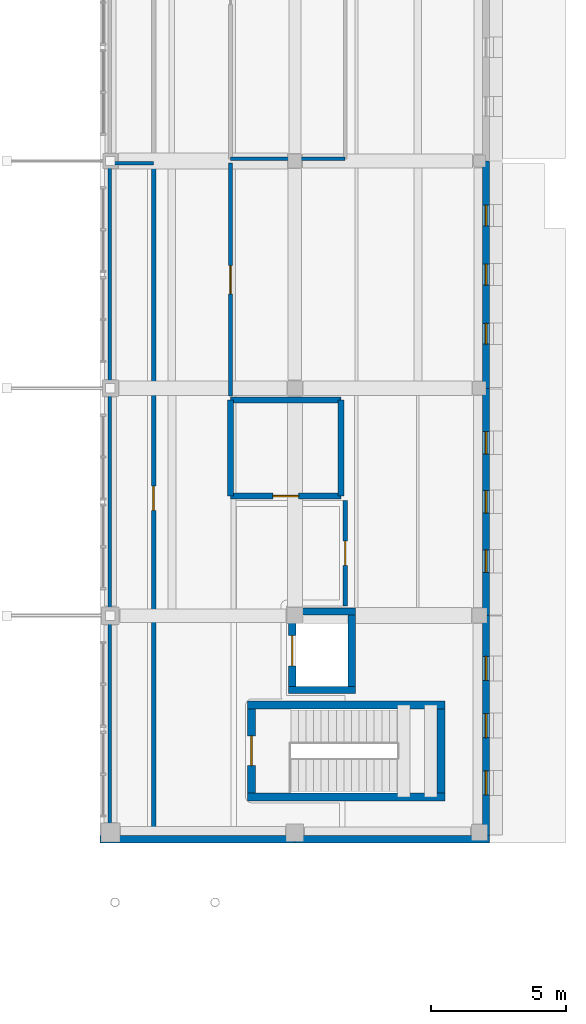
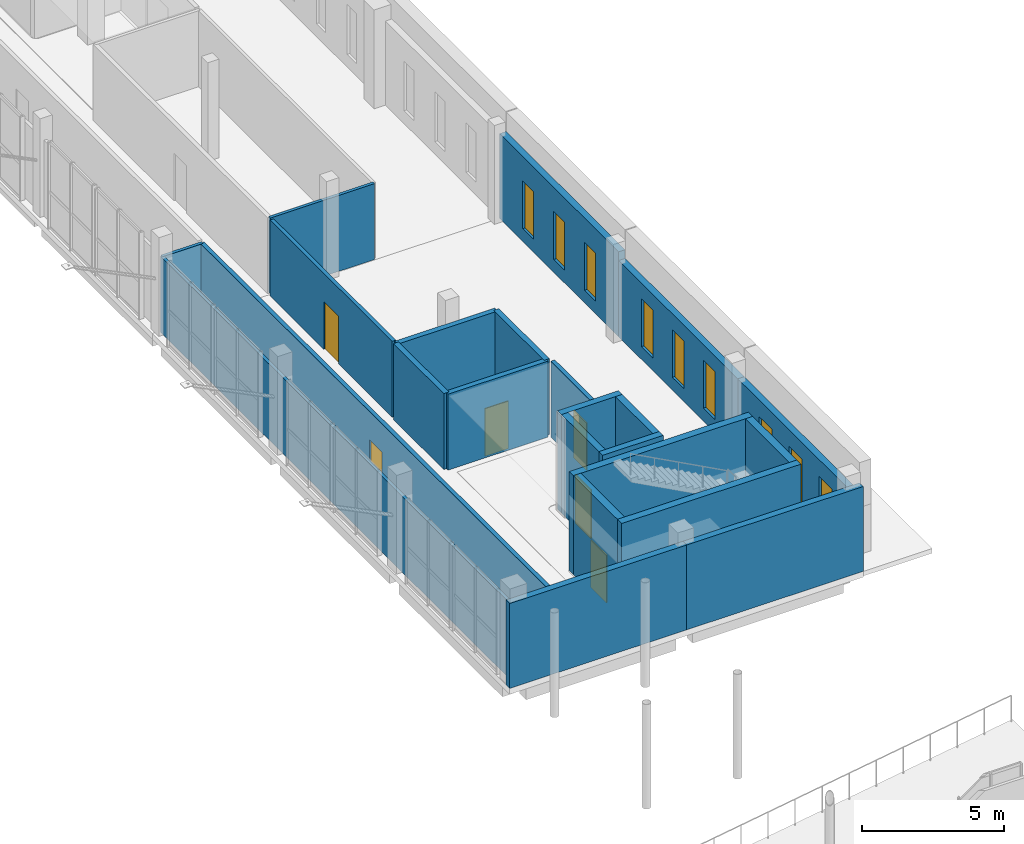
# One storey, part 61 of 77: 23 walls, 9 windows, 6 doors, 15 openings.
"""IFC4 building model written with IfcOpenShell, lengths in metres."""

from ifc_helpers import new_model, si_unit, direction, frame, frame_2d, origin, place, context, subcontext, project, spatial, rectangle, extrude, material, layer, layer_set, type_object, element, fill, save


model = new_model("IFC4")

# Units and contexts
model_context = context("Model", 3, precision=1e-05, world=origin(), true_north=direction((0.0, 1.0)))
body_context = subcontext(model_context, "Body", "Model", "MODEL_VIEW")
ifc_project = project(units=[si_unit("LENGTHUNIT", "METRE"), si_unit("AREAUNIT", "SQUARE_METRE"), si_unit("VOLUMEUNIT", "CUBIC_METRE"), si_unit("PLANEANGLEUNIT", "RADIAN"), si_unit("MASSUNIT", "GRAM", prefix="KILO")], contexts=[model_context])

# Site, building, storey
site_placement = place(None, origin())
site = spatial("IfcSite", under=ifc_project, at=site_placement, CompositionType="ELEMENT")
building_placement = place(site_placement, origin())
building = spatial("IfcBuilding", under=site, at=building_placement, Name="Vardoun Plaza Health Centre", CompositionType="ELEMENT")
storey_placement = place(building_placement, origin())
storey = spatial("IfcBuildingStorey", under=building, at=storey_placement, Name="L00", CompositionType="ELEMENT", Elevation=0.0)

# Wall
ifc_material_1 = material(Name="Concrete C40/50", Category="concrete")
ifc_layer_1 = layer(ifc_material_1, 0.27001953125)
ifc_layer_set_1 = layer_set([ifc_layer_1], Name="Concrete C40/50")
wall_type_1 = type_object("IfcWallType", Name="SW-03", PredefinedType="SHEAR", material=ifc_layer_set_1)
wall_1_placement = place(storey_placement, frame((160.3349609375, 41.949951171875, 0.0), z_axis=(0.0, 0.0, 1.0), x_axis=(-1.0, 0.0, 0.0)))
element("IfcWall", 1, at=wall_1_placement, inside=storey, type_object=wall_type_1, Name="Lift LP-05 L00 Shaft Wall S", PredefinedType="SHEAR", context=body_context, shape_type="SweptSolid", body=[
    extrude(rectangle(XDim=2.469970703125, YDim=0.27001953125, at=frame_2d((1.23486328125, 0.0))), origin(), (0.0, 0.0, 1.0), 4.25),
])

# Wall, opening, door
wall_2_placement = place(storey_placement, frame((158.0, 42.0849609375, 0.0), z_axis=(0.0, 0.0, 1.0), x_axis=(0.0, 1.0, 0.0)))
wall_2 = element("IfcWall", 2, at=wall_2_placement, inside=storey, type_object=wall_type_1, Name="Lift LP-05 L00 Shaft Wall W", PredefinedType="SHEAR", context=body_context, shape_type="SweptSolid", body=[
    extrude(rectangle(XDim=2.630126953125, YDim=0.27001953125, at=frame_2d((1.31494140625, 0.0))), origin(), (0.0, 0.0, 1.0), 4.25),
])
opening_1_placement = place(wall_2_placement, frame((0.7548828125, 0.0, 0.0)))
opening_1 = element("IfcOpeningElement", 3, at=opening_1_placement, cuts=wall_2, Name="Opening LD-LP-05-L00", PredefinedType="OPENING", context=body_context, shape_type="SweptSolid", body=[
    extrude(rectangle(XDim=1.1201171875, YDim=2.10009765625, at=frame_2d((0.56005859375, 1.050048828125))), frame((0.0, 0.135009765625, 0.0), z_axis=(0.0, -1.0, 0.0), x_axis=(1.0, 0.0, 0.0)), (0.0, 0.0, 1.0), 0.27001953125),
])
ifc_material_2 = material(Name="Brushed Stainless Steel Grade 316L", Category="steel")
door_type_1 = type_object("IfcDoorType", Name="LD-01", OperationType="DOUBLE_DOOR_SLIDING", PredefinedType="DOOR", material=ifc_material_2)
door_1_placement = place(opening_1_placement, origin())
door_1 = element("IfcDoor", 4, at=door_1_placement, inside=storey, type_object=door_type_1, Name="Lift LP-05 L00 Sliding Landing Door", OperationType="DOUBLE_DOOR_SLIDING", OverallHeight=2.10009765625, OverallWidth=1.1201171875, PredefinedType="DOOR", context=body_context, shape_type="SweptSolid", body=[
    extrude(rectangle(XDim=1.1201171875, YDim=2.10009765625, at=frame_2d((0.56005859375, 1.050048828125))), frame((0.0, 0.02490234375, 0.0), z_axis=(0.0, -1.0, 0.0), x_axis=(1.0, 0.0, 0.0)), (0.0, 0.0, 1.0), 0.050048828125),
])
fill(opening_1, door_1)

# Walls
wall_3_placement = place(storey_placement, frame((157.864990234375, 44.85009765625, 0.0), z_axis=(0.0, 0.0, 1.0), x_axis=(1.0, 0.0, 0.0)))
element("IfcWall", 5, at=wall_3_placement, inside=storey, type_object=wall_type_1, Name="Lift LP-05 L00 Shaft Wall N", PredefinedType="SHEAR", context=body_context, shape_type="SweptSolid", body=[
    extrude(rectangle(XDim=2.469970703125, YDim=0.27001953125, at=frame_2d((1.23486328125, 0.0))), origin(), (0.0, 0.0, 1.0), 4.25),
])
wall_4_placement = place(storey_placement, frame((160.199951171875, 44.715087890625, 0.0), z_axis=(0.0, 0.0, 1.0), x_axis=(0.0, -1.0, 0.0)))
element("IfcWall", 6, at=wall_4_placement, inside=storey, type_object=wall_type_1, Name="Lift LP-05 L00 Shaft Wall E", PredefinedType="SHEAR", context=body_context, shape_type="SweptSolid", body=[
    extrude(rectangle(XDim=2.630126953125, YDim=0.27001953125, at=frame_2d((1.31494140625, 0.0))), origin(), (0.0, 0.0, 1.0), 4.25),
])
ifc_material_3 = material(Name="Concrete C40/50", Category="concrete")
ifc_layer_2 = layer(ifc_material_3, 0.300048828125)
ifc_layer_set_2 = layer_set([ifc_layer_2], Name="Concrete C40/50")
wall_type_2 = type_object("IfcWallType", Name="SW-01", PredefinedType="SHEAR", material=ifc_layer_set_2)
wall_5_placement = place(storey_placement, frame((163.64990234375, 38.0, 0.0), z_axis=(0.0, 0.0, 1.0), x_axis=(-1.0, 0.0, 0.0)))
element("IfcWall", 7, at=wall_5_placement, inside=storey, type_object=wall_type_2, Name="Core C10 L00 Shear Wall S", PredefinedType="SHEAR", context=body_context, shape_type="SweptSolid", body=[
    extrude(rectangle(XDim=7.2998046875, YDim=0.300048828125, at=frame_2d((3.64990234375, 0.0))), origin(), (0.0, 0.0, 1.0), 4.25),
])

# Wall, opening, door
wall_6_placement = place(storey_placement, frame((156.5, 38.14990234375, 0.0), z_axis=(0.0, 0.0, 1.0), x_axis=(0.0, 1.0, 0.0)))
wall_6 = element("IfcWall", 8, at=wall_6_placement, inside=storey, type_object=wall_type_2, Name="Core C10 L00 Shear Wall W", PredefinedType="SHEAR", context=body_context, shape_type="SweptSolid", body=[
    extrude(rectangle(XDim=3.10009765625, YDim=0.300048828125, at=frame_2d((1.550048828125, 0.0))), origin(), (0.0, 0.0, 1.0), 4.25),
])
opening_2_placement = place(wall_6_placement, frame((1.0, 0.0, 0.0)))
opening_2 = element("IfcOpeningElement", 9, at=opening_2_placement, cuts=wall_6, Name="Opening SD-C10-L00", PredefinedType="OPENING", context=body_context, shape_type="SweptSolid", body=[
    extrude(rectangle(XDim=1.10009765625, YDim=2.050048828125, at=frame_2d((0.550048828125, 1.02490234375))), frame((0.0, 0.14990234375, 0.0), z_axis=(0.0, -1.0, 0.0), x_axis=(1.0, 0.0, 0.0)), (0.0, 0.0, 1.0), 0.300048828125),
])
ifc_material_4 = material(Name="Brushed Stainless Steel Grade 316L", Category="steel")
door_type_2 = type_object("IfcDoorType", Name="FD-01", OperationType="NOTDEFINED", PredefinedType="DOOR", material=ifc_material_4)
door_2_placement = place(opening_2_placement, origin())
door_2 = element("IfcDoor", 10, at=door_2_placement, inside=storey, type_object=door_type_2, Name="Stair C10 L00 Fire Door", OperationType="SINGLE_SWING_RIGHT", OverallHeight=2.050048828125, OverallWidth=1.10009765625, PredefinedType="DOOR", context=body_context, shape_type="SweptSolid", body=[
    extrude(rectangle(XDim=1.10009765625, YDim=2.050048828125, at=frame_2d((0.550048828125, 1.02490234375))), frame((0.0, 0.02490234375, 0.0), z_axis=(0.0, -1.0, 0.0), x_axis=(1.0, 0.0, 0.0)), (0.0, 0.0, 1.0), 0.050048828125),
])
fill(opening_2, door_2)

# Walls
wall_7_placement = place(storey_placement, frame((156.35009765625, 41.39990234375, 0.0), z_axis=(0.0, 0.0, 1.0), x_axis=(1.0, 0.0, 0.0)))
element("IfcWall", 11, at=wall_7_placement, inside=storey, type_object=wall_type_2, Name="Core C10 L00 Shear Wall N", PredefinedType="SHEAR", context=body_context, shape_type="SweptSolid", body=[
    extrude(rectangle(XDim=7.2998046875, YDim=0.300048828125, at=frame_2d((3.64990234375, 0.0))), origin(), (0.0, 0.0, 1.0), 4.25),
])
wall_8_placement = place(storey_placement, frame((163.5, 41.25, 0.0), z_axis=(0.0, 0.0, 1.0), x_axis=(0.0, -1.0, 0.0)))
element("IfcWall", 12, at=wall_8_placement, inside=storey, type_object=wall_type_2, Name="Core C10 L00 Shear Wall E", PredefinedType="SHEAR", context=body_context, shape_type="SweptSolid", body=[
    extrude(rectangle(XDim=3.10009765625, YDim=0.300048828125, at=frame_2d((1.550048828125, 0.0))), origin(), (0.0, 0.0, 1.0), 4.25),
])

# Wall, openings, windows
ifc_material_5 = material(Name="Pale Limestone Concrete C35/45", Category="masonry")
ifc_layer_3 = layer(ifc_material_5, 0.264892578125)
ifc_layer_set_3 = layer_set([ifc_layer_3], Name="Pale Limestone Concrete C35/45")
wall_type_3 = type_object("IfcWallType", Name="EW-06", PredefinedType="STANDARD", material=ifc_layer_set_3)
wall_9_placement = place(storey_placement, frame((165.16748046875, 61.5, 0.0), z_axis=(0.0, 0.0, 1.0), x_axis=(0.0, -1.0, 0.0)))
wall_9 = element("IfcWall", 13, at=wall_9_placement, inside=storey, type_object=wall_type_3, Name="V6 L00 Exterior Wall EW-V6-420", PredefinedType="STANDARD", context=body_context, shape_type="SweptSolid", body=[
    extrude(rectangle(XDim=8.39990234375, YDim=0.264892578125, at=frame_2d((4.199951171875, 0.0))), origin(), (0.0, 0.0, 1.0), 3.655029296875),
])
opening_3_placement = place(wall_9_placement, frame((1.631103515625, 0.0, 0.550048828125)))
opening_3 = element("IfcOpeningElement", 14, at=opening_3_placement, cuts=wall_9, Name="Opening W-33-011", PredefinedType="OPENING", context=body_context, shape_type="SweptSolid", body=[
    extrude(rectangle(XDim=0.77001953125, YDim=2.06005859375, at=frame_2d((0.385009765625, 1.030029296875))), frame((0.0, 0.13232421875, 0.0), z_axis=(0.0, -1.0, 0.0), x_axis=(1.0, 0.0, 0.0)), (0.0, 0.0, 1.0), 0.264892578125),
])
opening_4_placement = place(wall_9_placement, frame((3.81494140625, 0.0, 0.550048828125)))
opening_4 = element("IfcOpeningElement", 15, at=opening_4_placement, cuts=wall_9, Name="Opening W-33-012", PredefinedType="OPENING", context=body_context, shape_type="SweptSolid", body=[
    extrude(rectangle(XDim=0.77001953125, YDim=2.06005859375, at=frame_2d((0.385009765625, 1.030029296875))), frame((0.0, 0.13232421875, 0.0), z_axis=(0.0, -1.0, 0.0), x_axis=(1.0, 0.0, 0.0)), (0.0, 0.0, 1.0), 0.264892578125),
])
opening_5_placement = place(wall_9_placement, frame((5.9990234375, 0.0, 0.550048828125)))
opening_5 = element("IfcOpeningElement", 16, at=opening_5_placement, cuts=wall_9, Name="Opening W-33-013", PredefinedType="OPENING", context=body_context, shape_type="SweptSolid", body=[
    extrude(rectangle(XDim=0.77001953125, YDim=2.06005859375, at=frame_2d((0.385009765625, 1.030029296875))), frame((0.0, 0.13232421875, 0.0), z_axis=(0.0, -1.0, 0.0), x_axis=(1.0, 0.0, 0.0)), (0.0, 0.0, 1.0), 0.264892578125),
])
ifc_material_6 = material(Name="Aluminium Alloy EN AW-6063-T6 and Low-E Glass", Category="aluminium")
window_type_1 = type_object("IfcWindowType", Name="W-33", PartitioningType="SINGLE_PANEL", PredefinedType="WINDOW", material=ifc_material_6)
window_1_placement = place(opening_3_placement, origin())
window_1 = element("IfcWindow", 17, at=window_1_placement, inside=storey, type_object=window_type_1, Name="V6 L00 Deep-Punched Slot Window W-33-640", OverallHeight=2.06005859375, OverallWidth=0.77001953125, PartitioningType="SINGLE_PANEL", PredefinedType="WINDOW", context=body_context, shape_type="SweptSolid", body=[
    extrude(rectangle(XDim=0.77001953125, YDim=2.06005859375, at=frame_2d((0.385009765625, 1.030029296875))), frame((0.0, 0.030029296875, 0.0), z_axis=(0.0, -1.0, 0.0), x_axis=(1.0, 0.0, 0.0)), (0.0, 0.0, 1.0), 0.06005859375),
])
fill(opening_3, window_1)
window_2_placement = place(opening_4_placement, origin())
window_2 = element("IfcWindow", 18, at=window_2_placement, inside=storey, type_object=window_type_1, Name="V6 L00 Deep-Punched Slot Window W-33-641", OverallHeight=2.06005859375, OverallWidth=0.77001953125, PartitioningType="SINGLE_PANEL", PredefinedType="WINDOW", context=body_context, shape_type="SweptSolid", body=[
    extrude(rectangle(XDim=0.77001953125, YDim=2.06005859375, at=frame_2d((0.385009765625, 1.030029296875))), frame((0.0, 0.030029296875, 0.0), z_axis=(0.0, -1.0, 0.0), x_axis=(1.0, 0.0, 0.0)), (0.0, 0.0, 1.0), 0.06005859375),
])
fill(opening_4, window_2)
window_3_placement = place(opening_5_placement, origin())
window_3 = element("IfcWindow", 19, at=window_3_placement, inside=storey, type_object=window_type_1, Name="V6 L00 Deep-Punched Slot Window W-33-642", OverallHeight=2.06005859375, OverallWidth=0.77001953125, PartitioningType="SINGLE_PANEL", PredefinedType="WINDOW", context=body_context, shape_type="SweptSolid", body=[
    extrude(rectangle(XDim=0.77001953125, YDim=2.06005859375, at=frame_2d((0.385009765625, 1.030029296875))), frame((0.0, 0.030029296875, 0.0), z_axis=(0.0, -1.0, 0.0), x_axis=(1.0, 0.0, 0.0)), (0.0, 0.0, 1.0), 0.06005859375),
])
fill(opening_5, window_3)

wall_10_placement = place(storey_placement, frame((165.16748046875, 53.10009765625, 0.0), z_axis=(0.0, 0.0, 1.0), x_axis=(0.0, -1.0, 0.0)))
wall_10 = element("IfcWall", 20, at=wall_10_placement, inside=storey, type_object=wall_type_3, Name="V6 L00 Exterior Wall EW-V6-421", PredefinedType="STANDARD", context=body_context, shape_type="SweptSolid", body=[
    extrude(rectangle(XDim=8.400146484375, YDim=0.264892578125, at=frame_2d((4.2001953125, 0.0))), origin(), (0.0, 0.0, 1.0), 3.284912109375),
])
opening_6_placement = place(wall_10_placement, frame((1.60107421875, 0.0, 0.550048828125)))
opening_6 = element("IfcOpeningElement", 21, at=opening_6_placement, cuts=wall_10, Name="Opening W-34-011", PredefinedType="OPENING", context=body_context, shape_type="SweptSolid", body=[
    extrude(rectangle(XDim=0.830078125, YDim=2.06005859375, at=frame_2d((0.4150390625, 1.030029296875))), frame((0.0, 0.13232421875, 0.0), z_axis=(0.0, -1.0, 0.0), x_axis=(1.0, 0.0, 0.0)), (0.0, 0.0, 1.0), 0.264892578125),
])
opening_7_placement = place(wall_10_placement, frame((3.784912109375, 0.0, 0.550048828125)))
opening_7 = element("IfcOpeningElement", 22, at=opening_7_placement, cuts=wall_10, Name="Opening W-34-012", PredefinedType="OPENING", context=body_context, shape_type="SweptSolid", body=[
    extrude(rectangle(XDim=0.830078125, YDim=2.06005859375, at=frame_2d((0.4150390625, 1.030029296875))), frame((0.0, 0.13232421875, 0.0), z_axis=(0.0, -1.0, 0.0), x_axis=(1.0, 0.0, 0.0)), (0.0, 0.0, 1.0), 0.264892578125),
])
opening_8_placement = place(wall_10_placement, frame((5.968994140625, 0.0, 0.550048828125)))
opening_8 = element("IfcOpeningElement", 23, at=opening_8_placement, cuts=wall_10, Name="Opening W-34-013", PredefinedType="OPENING", context=body_context, shape_type="SweptSolid", body=[
    extrude(rectangle(XDim=0.830078125, YDim=2.06005859375, at=frame_2d((0.4150390625, 1.030029296875))), frame((0.0, 0.13232421875, 0.0), z_axis=(0.0, -1.0, 0.0), x_axis=(1.0, 0.0, 0.0)), (0.0, 0.0, 1.0), 0.264892578125),
])
ifc_material_7 = material(Name="Aluminium Alloy EN AW-6063-T6 and Low-E Glass", Category="aluminium")
window_type_2 = type_object("IfcWindowType", Name="W-34", PartitioningType="SINGLE_PANEL", PredefinedType="WINDOW", material=ifc_material_7)
window_4_placement = place(opening_6_placement, origin())
window_4 = element("IfcWindow", 24, at=window_4_placement, inside=storey, type_object=window_type_2, Name="V6 L00 Deep-Punched Slot Window W-34-643", OverallHeight=2.06005859375, OverallWidth=0.830078125, PartitioningType="SINGLE_PANEL", PredefinedType="WINDOW", context=body_context, shape_type="SweptSolid", body=[
    extrude(rectangle(XDim=0.830078125, YDim=2.06005859375, at=frame_2d((0.4150390625, 1.030029296875))), frame((0.0, 0.030029296875, 0.0), z_axis=(0.0, -1.0, 0.0), x_axis=(1.0, 0.0, 0.0)), (0.0, 0.0, 1.0), 0.06005859375),
])
fill(opening_6, window_4)
window_5_placement = place(opening_7_placement, origin())
window_5 = element("IfcWindow", 25, at=window_5_placement, inside=storey, type_object=window_type_2, Name="V6 L00 Deep-Punched Slot Window W-34-644", OverallHeight=2.06005859375, OverallWidth=0.830078125, PartitioningType="SINGLE_PANEL", PredefinedType="WINDOW", context=body_context, shape_type="SweptSolid", body=[
    extrude(rectangle(XDim=0.830078125, YDim=2.06005859375, at=frame_2d((0.4150390625, 1.030029296875))), frame((0.0, 0.030029296875, 0.0), z_axis=(0.0, -1.0, 0.0), x_axis=(1.0, 0.0, 0.0)), (0.0, 0.0, 1.0), 0.06005859375),
])
fill(opening_7, window_5)
window_6_placement = place(opening_8_placement, origin())
window_6 = element("IfcWindow", 26, at=window_6_placement, inside=storey, type_object=window_type_2, Name="V6 L00 Deep-Punched Slot Window W-34-645", OverallHeight=2.06005859375, OverallWidth=0.830078125, PartitioningType="SINGLE_PANEL", PredefinedType="WINDOW", context=body_context, shape_type="SweptSolid", body=[
    extrude(rectangle(XDim=0.830078125, YDim=2.06005859375, at=frame_2d((0.4150390625, 1.030029296875))), frame((0.0, 0.030029296875, 0.0), z_axis=(0.0, -1.0, 0.0), x_axis=(1.0, 0.0, 0.0)), (0.0, 0.0, 1.0), 0.06005859375),
])
fill(opening_8, window_6)

wall_11_placement = place(storey_placement, frame((165.16748046875, 44.699951171875, 0.0), z_axis=(0.0, 0.0, 1.0), x_axis=(0.0, -1.0, 0.0)))
wall_11 = element("IfcWall", 27, at=wall_11_placement, inside=storey, type_object=wall_type_3, Name="V6 L00 Exterior Wall EW-V6-422", PredefinedType="STANDARD", context=body_context, shape_type="SweptSolid", body=[
    extrude(rectangle(XDim=8.135009765625, YDim=0.264892578125, at=frame_2d((4.0673828125, 0.0))), origin(), (0.0, 0.0, 1.0), 3.284912109375),
])
opening_9_placement = place(wall_11_placement, frame((1.50732421875, 0.0, 0.550048828125)))
opening_9 = element("IfcOpeningElement", 28, at=opening_9_placement, cuts=wall_11, Name="Opening W-35-018", PredefinedType="OPENING", context=body_context, shape_type="SweptSolid", body=[
    extrude(rectangle(XDim=0.889892578125, YDim=2.02001953125, at=frame_2d((0.44482421875, 1.010009765625))), frame((0.0, 0.13232421875, 0.0), z_axis=(0.0, -1.0, 0.0), x_axis=(1.0, 0.0, 0.0)), (0.0, 0.0, 1.0), 0.264892578125),
])
opening_10_placement = place(wall_11_placement, frame((3.62255859375, 0.0, 0.550048828125)))
opening_10 = element("IfcOpeningElement", 29, at=opening_10_placement, cuts=wall_11, Name="Opening W-35-019", PredefinedType="OPENING", context=body_context, shape_type="SweptSolid", body=[
    extrude(rectangle(XDim=0.889892578125, YDim=2.02001953125, at=frame_2d((0.44482421875, 1.010009765625))), frame((0.0, 0.13232421875, 0.0), z_axis=(0.0, -1.0, 0.0), x_axis=(1.0, 0.0, 0.0)), (0.0, 0.0, 1.0), 0.264892578125),
])
opening_11_placement = place(wall_11_placement, frame((5.737548828125, 0.0, 0.550048828125)))
opening_11 = element("IfcOpeningElement", 30, at=opening_11_placement, cuts=wall_11, Name="Opening W-35-020", PredefinedType="OPENING", context=body_context, shape_type="SweptSolid", body=[
    extrude(rectangle(XDim=0.889892578125, YDim=2.02001953125, at=frame_2d((0.44482421875, 1.010009765625))), frame((0.0, 0.13232421875, 0.0), z_axis=(0.0, -1.0, 0.0), x_axis=(1.0, 0.0, 0.0)), (0.0, 0.0, 1.0), 0.264892578125),
])
ifc_material_8 = material(Name="Aluminium Alloy EN AW-6063-T6 and Low-E Glass", Category="aluminium")
window_type_3 = type_object("IfcWindowType", Name="W-35", PartitioningType="DOUBLE_PANEL_VERTICAL", PredefinedType="WINDOW", material=ifc_material_8)
window_7_placement = place(opening_9_placement, origin())
window_7 = element("IfcWindow", 31, at=window_7_placement, inside=storey, type_object=window_type_3, Name="V6 L00 Deep-Punched Slot Window W-35-646", OverallHeight=2.02001953125, OverallWidth=0.889892578125, PartitioningType="DOUBLE_PANEL_VERTICAL", PredefinedType="WINDOW", context=body_context, shape_type="SweptSolid", body=[
    extrude(rectangle(XDim=0.889892578125, YDim=2.02001953125, at=frame_2d((0.44482421875, 1.010009765625))), frame((0.0, 0.030029296875, 0.0), z_axis=(0.0, -1.0, 0.0), x_axis=(1.0, 0.0, 0.0)), (0.0, 0.0, 1.0), 0.06005859375),
])
fill(opening_9, window_7)
window_8_placement = place(opening_10_placement, origin())
window_8 = element("IfcWindow", 32, at=window_8_placement, inside=storey, type_object=window_type_3, Name="V6 L00 Deep-Punched Slot Window W-35-647", OverallHeight=2.02001953125, OverallWidth=0.889892578125, PartitioningType="DOUBLE_PANEL_VERTICAL", PredefinedType="WINDOW", context=body_context, shape_type="SweptSolid", body=[
    extrude(rectangle(XDim=0.889892578125, YDim=2.02001953125, at=frame_2d((0.44482421875, 1.010009765625))), frame((0.0, 0.030029296875, 0.0), z_axis=(0.0, -1.0, 0.0), x_axis=(1.0, 0.0, 0.0)), (0.0, 0.0, 1.0), 0.06005859375),
])
fill(opening_10, window_8)
window_9_placement = place(opening_11_placement, origin())
window_9 = element("IfcWindow", 33, at=window_9_placement, inside=storey, type_object=window_type_3, Name="V6 L00 Deep-Punched Slot Window W-35-648", OverallHeight=2.02001953125, OverallWidth=0.889892578125, PartitioningType="DOUBLE_PANEL_VERTICAL", PredefinedType="WINDOW", context=body_context, shape_type="SweptSolid", body=[
    extrude(rectangle(XDim=0.889892578125, YDim=2.02001953125, at=frame_2d((0.44482421875, 1.010009765625))), frame((0.0, 0.030029296875, 0.0), z_axis=(0.0, -1.0, 0.0), x_axis=(1.0, 0.0, 0.0)), (0.0, 0.0, 1.0), 0.06005859375),
])
fill(opening_11, window_9)

# Walls
wall_12_placement = place(storey_placement, frame((165.300048828125, 36.4326171875, 0.0), z_axis=(0.0, 0.0, 1.0), x_axis=(-1.0, 0.0, 0.0)))
element("IfcWall", 34, at=wall_12_placement, inside=storey, type_object=wall_type_3, Name="V6 L00 Exterior Wall EW-V6-423", PredefinedType="STANDARD", context=body_context, shape_type="SweptSolid", body=[
    extrude(rectangle(XDim=7.199951171875, YDim=0.264892578125, at=frame_2d((3.60009765625, 0.0))), origin(), (0.0, 0.0, 1.0), 3.655029296875),
])
wall_13_placement = place(storey_placement, frame((158.10009765625, 36.4326171875, 0.0), z_axis=(0.0, 0.0, 1.0), x_axis=(-1.0, 0.0, 0.0)))
element("IfcWall", 35, at=wall_13_placement, inside=storey, type_object=wall_type_3, Name="V6 L00 Exterior Wall EW-V6-424", PredefinedType="STANDARD", context=body_context, shape_type="SweptSolid", body=[
    extrude(rectangle(XDim=7.2001953125, YDim=0.264892578125, at=frame_2d((3.60009765625, 0.0))), origin(), (0.0, 0.0, 1.0), 3.655029296875),
])

# Wall, opening, door
ifc_material_9 = material(Name="Acoustic Gypsum Twin-Stud", Category="steel")
ifc_layer_4 = layer(ifc_material_9, 0.14990234375)
ifc_layer_set_4 = layer_set([ifc_layer_4], Name="Acoustic Gypsum Twin-Stud")
wall_type_4 = type_object("IfcWallType", Name="IW-04", PredefinedType="PARTITIONING", material=ifc_layer_set_4)
wall_14_placement = place(storey_placement, frame((155.719970703125, 52.805908203125, 0.0), z_axis=(0.0, 0.0, 1.0), x_axis=(0.0, 1.0, 0.0)))
wall_14 = element("IfcWall", 36, at=wall_14_placement, inside=storey, type_object=wall_type_4, Name="Forecourt Waiting Foyer Partition Wall", PredefinedType="PARTITIONING", context=body_context, shape_type="SweptSolid", body=[
    extrude(rectangle(XDim=8.614013671875, YDim=0.14990234375, at=frame_2d((4.30712890625, 0.0))), origin(), (0.0, 0.0, 1.0), 3.27001953125),
])
opening_12_placement = place(wall_14_placement, frame((3.787109375, 0.0, 0.0)))
opening_12 = element("IfcOpeningElement", 37, at=opening_12_placement, cuts=wall_14, Name="Opening D-L00-165", PredefinedType="OPENING", context=body_context, shape_type="SweptSolid", body=[
    extrude(rectangle(XDim=1.0400390625, YDim=2.050048828125, at=frame_2d((0.52001953125, 1.02490234375))), frame((0.0, 0.074951171875, 0.0), z_axis=(0.0, -1.0, 0.0), x_axis=(1.0, 0.0, 0.0)), (0.0, 0.0, 1.0), 0.14990234375),
])
ifc_material_10 = material(Name="Antimicrobial Acoustic Timber and Steel S275JR", Category="steel")
door_type_3 = type_object("IfcDoorType", Name="CD-04", OperationType="NOTDEFINED", PredefinedType="DOOR", material=ifc_material_10)
door_3_placement = place(opening_12_placement, origin())
door_3 = element("IfcDoor", 38, at=door_3_placement, inside=storey, type_object=door_type_3, Name="Forecourt Waiting Foyer Door D-L00-165", OperationType="SINGLE_SWING_LEFT", OverallHeight=2.050048828125, OverallWidth=1.0400390625, PredefinedType="DOOR", context=body_context, shape_type="SweptSolid", body=[
    extrude(rectangle(XDim=1.0400390625, YDim=2.050048828125, at=frame_2d((0.52001953125, 1.02490234375))), frame((0.0, 0.02490234375, 0.0), z_axis=(0.0, -1.0, 0.0), x_axis=(1.0, 0.0, 0.0)), (0.0, 0.0, 1.0), 0.050048828125),
])
fill(opening_12, door_3)

ifc_material_11 = material(Name="Impact-Resistant Clinical Gypsum", Category="steel")
ifc_layer_5 = layer(ifc_material_11, 0.1650390625)
ifc_layer_set_5 = layer_set([ifc_layer_5], Name="Impact-Resistant Clinical Gypsum")
wall_type_5 = type_object("IfcWallType", Name="IW-05", PredefinedType="PARTITIONING", material=ifc_layer_set_5)
wall_15_placement = place(storey_placement, frame((152.8798828125, 61.419921875, 0.0), z_axis=(0.0, 0.0, 1.0), x_axis=(0.0, -1.0, 0.0)))
wall_15 = element("IfcWall", 39, at=wall_15_placement, inside=storey, type_object=wall_type_5, Name="Pharmacy Counselling Room Partition Wall", PredefinedType="PARTITIONING", context=body_context, shape_type="SweptSolid", body=[
    extrude(rectangle(XDim=24.77001953125, YDim=0.1650390625, at=frame_2d((12.385009765625, 0.0))), origin(), (0.0, 0.0, 1.0), 3.27001953125),
])
opening_13_placement = place(wall_15_placement, frame((11.93505859375, 0.0, 0.0)))
opening_13 = element("IfcOpeningElement", 40, at=opening_13_placement, cuts=wall_15, Name="Opening D-L00-162", PredefinedType="OPENING", context=body_context, shape_type="SweptSolid", body=[
    extrude(rectangle(XDim=0.89990234375, YDim=2.050048828125, at=frame_2d((0.449951171875, 1.02490234375))), frame((0.0, 0.08251953125, 0.0), z_axis=(0.0, -1.0, 0.0), x_axis=(1.0, 0.0, 0.0)), (0.0, 0.0, 1.0), 0.1650390625),
])
ifc_material_12 = material(Name="Antimicrobial Acoustic Timber and Steel S275JR", Category="steel")
door_type_4 = type_object("IfcDoorType", Name="CD-08", OperationType="NOTDEFINED", PredefinedType="DOOR", material=ifc_material_12)
door_4_placement = place(opening_13_placement, origin())
door_4 = element("IfcDoor", 41, at=door_4_placement, inside=storey, type_object=door_type_4, Name="Pharmacy Counselling Room Door D-L00-162", OperationType="SINGLE_SWING_LEFT", OverallHeight=2.050048828125, OverallWidth=0.89990234375, PredefinedType="DOOR", context=body_context, shape_type="SweptSolid", body=[
    extrude(rectangle(XDim=0.89990234375, YDim=2.050048828125, at=frame_2d((0.449951171875, 1.02490234375))), frame((0.0, 0.02490234375, 0.0), z_axis=(0.0, -1.0, 0.0), x_axis=(1.0, 0.0, 0.0)), (0.0, 0.0, 1.0), 0.050048828125),
])
fill(opening_13, door_4)

wall_16_placement = place(storey_placement, frame((159.9599609375, 48.955078125, 0.0), z_axis=(0.0, 0.0, 1.0), x_axis=(0.0, -1.0, 0.0)))
wall_16 = element("IfcWall", 42, at=wall_16_placement, inside=storey, type_object=wall_type_5, Name="Outpatient Pharmacy Dispensary A Partition Wall", PredefinedType="PARTITIONING", context=body_context, shape_type="SweptSolid", body=[
    extrude(rectangle(XDim=3.905029296875, YDim=0.1650390625, at=frame_2d((1.95263671875, 0.0))), origin(), (0.0, 0.0, 1.0), 3.27001953125),
])
opening_14_placement = place(wall_16_placement, frame((1.50244140625, 0.0, 0.0)))
opening_14 = element("IfcOpeningElement", 43, at=opening_14_placement, cuts=wall_16, Name="Opening D-L00-166", PredefinedType="OPENING", context=body_context, shape_type="SweptSolid", body=[
    extrude(rectangle(XDim=0.89990234375, YDim=2.050048828125, at=frame_2d((0.449951171875, 1.02490234375))), frame((0.0, 0.08251953125, 0.0), z_axis=(0.0, -1.0, 0.0), x_axis=(1.0, 0.0, 0.0)), (0.0, 0.0, 1.0), 0.1650390625),
])
door_5_placement = place(opening_14_placement, origin())
door_5 = element("IfcDoor", 44, at=door_5_placement, inside=storey, type_object=door_type_4, Name="Outpatient Pharmacy Dispensary A Door D-L00-166", OperationType="SINGLE_SWING_RIGHT", OverallHeight=2.050048828125, OverallWidth=0.89990234375, PredefinedType="DOOR", context=body_context, shape_type="SweptSolid", body=[
    extrude(rectangle(XDim=0.89990234375, YDim=2.050048828125, at=frame_2d((0.449951171875, 1.02490234375))), frame((0.0, 0.02490234375, 0.0), z_axis=(0.0, -1.0, 0.0), x_axis=(1.0, 0.0, 0.0)), (0.0, 0.0, 1.0), 0.050048828125),
])
fill(opening_14, door_5)

# Walls
ifc_material_13 = material(Name="Standard Clinical Sub-Partition", Category="steel")
ifc_layer_6 = layer(ifc_material_13, 0.125)
ifc_layer_set_6 = layer_set([ifc_layer_6], Name="Standard Clinical Sub-Partition")
wall_type_6 = type_object("IfcWallType", Name="IW-11", PredefinedType="PARTITIONING", material=ifc_layer_set_6)
wall_17_placement = place(storey_placement, frame((159.9599609375, 61.580078125, 0.0), z_axis=(0.0, 0.0, 1.0), x_axis=(-1.0, 0.0, 0.0)))
element("IfcWall", 45, at=wall_17_placement, inside=storey, type_object=wall_type_6, Name="Outpatient Pharmacy Dispensary Enclosure Partition", PredefinedType="PARTITIONING", context=body_context, shape_type="SweptSolid", body=[
    extrude(rectangle(XDim=4.239990234375, YDim=0.125, at=frame_2d((2.1201171875, 0.0))), origin(), (0.0, 0.0, 1.0), 3.27001953125),
])
wall_18_placement = place(storey_placement, frame((151.25, 36.64990234375, 0.0), z_axis=(0.0, 0.0, 1.0), x_axis=(0.0, 1.0, 0.0)))
element("IfcWall", 46, at=wall_18_placement, inside=storey, type_object=wall_type_6, Name="Pharmacy Counselling Room Enclosure Partition", PredefinedType="PARTITIONING", context=body_context, shape_type="SweptSolid", body=[
    extrude(rectangle(XDim=24.77001953125, YDim=0.125, at=frame_2d((12.385009765625, 0.0))), origin(), (0.0, 0.0, 1.0), 3.27001953125),
])
wall_19_placement = place(storey_placement, frame((151.25, 61.419921875, 0.0), z_axis=(0.0, 0.0, 1.0), x_axis=(1.0, 0.0, 0.0)))
element("IfcWall", 47, at=wall_19_placement, inside=storey, type_object=wall_type_6, Name="Pharmacy Counselling Room Enclosure Partition", PredefinedType="PARTITIONING", context=body_context, shape_type="SweptSolid", body=[
    extrude(rectangle(XDim=1.6298828125, YDim=0.125, at=frame_2d((0.81494140625, 0.0))), origin(), (0.0, 0.0, 1.0), 3.27001953125),
])

# Wall, opening, door
ifc_material_14 = material(Name="Moisture-Resistant Plumbing Chase", Category="steel")
ifc_layer_7 = layer(ifc_material_14, 0.215087890625)
ifc_layer_set_7 = layer_set([ifc_layer_7], Name="Moisture-Resistant Plumbing Chase")
wall_type_7 = type_object("IfcWallType", Name="IW-06", PredefinedType="PLUMBINGWALL", material=ifc_layer_set_7)
wall_20_placement = place(storey_placement, frame((159.803466796875, 49.114990234375, 0.0), z_axis=(0.0, 0.0, 1.0), x_axis=(-1.0, 0.0, 0.0)))
wall_20 = element("IfcWall", 48, at=wall_20_placement, inside=storey, type_object=wall_type_7, Name="Accessible WC L00-V6 Partition Wall", PredefinedType="PLUMBINGWALL", context=body_context, shape_type="SweptSolid", body=[
    extrude(rectangle(XDim=4.08349609375, YDim=0.215087890625, at=frame_2d((2.041748046875, 0.0))), origin(), (0.0, 0.0, 1.0), 3.27001953125),
])
opening_15_placement = place(wall_20_placement, frame((1.56689453125, 0.0, 0.0)))
opening_15 = element("IfcOpeningElement", 49, at=opening_15_placement, cuts=wall_20, Name="Opening D-L00-160", PredefinedType="OPENING", context=body_context, shape_type="SweptSolid", body=[
    extrude(rectangle(XDim=0.949951171875, YDim=2.050048828125, at=frame_2d((0.47509765625, 1.02490234375))), frame((0.0, 0.107421875, 0.0), z_axis=(0.0, -1.0, 0.0), x_axis=(1.0, 0.0, 0.0)), (0.0, 0.0, 1.0), 0.215087890625),
])
ifc_material_15 = material(Name="Antimicrobial Acoustic Timber and Steel S275JR", Category="steel")
door_type_5 = type_object("IfcDoorType", Name="CD-07", OperationType="NOTDEFINED", PredefinedType="DOOR", material=ifc_material_15)
door_6_placement = place(opening_15_placement, origin())
door_6 = element("IfcDoor", 50, at=door_6_placement, inside=storey, type_object=door_type_5, Name="Accessible WC L00-V6 Door D-L00-160", OperationType="SINGLE_SWING_LEFT", OverallHeight=2.050048828125, OverallWidth=0.949951171875, PredefinedType="DOOR", context=body_context, shape_type="SweptSolid", body=[
    extrude(rectangle(XDim=0.949951171875, YDim=2.050048828125, at=frame_2d((0.47509765625, 1.02490234375))), frame((0.0, 0.02490234375, 0.0), z_axis=(0.0, -1.0, 0.0), x_axis=(1.0, 0.0, 0.0)), (0.0, 0.0, 1.0), 0.050048828125),
])
fill(opening_15, door_6)

# Walls
wall_21_placement = place(storey_placement, frame((155.719970703125, 49.114990234375, 0.0), z_axis=(0.0, 0.0, 1.0), x_axis=(0.0, 1.0, 0.0)))
element("IfcWall", 51, at=wall_21_placement, inside=storey, type_object=wall_type_7, Name="Accessible WC L00-V6 Enclosure Partition", PredefinedType="PLUMBINGWALL", context=body_context, shape_type="SweptSolid", body=[
    extrude(rectangle(XDim=3.551025390625, YDim=0.215087890625, at=frame_2d((1.775390625, 0.0))), origin(), (0.0, 0.0, 1.0), 3.27001953125),
])
wall_22_placement = place(storey_placement, frame((155.719970703125, 52.666015625, 0.0), z_axis=(0.0, 0.0, 1.0), x_axis=(1.0, 0.0, 0.0)))
element("IfcWall", 52, at=wall_22_placement, inside=storey, type_object=wall_type_7, Name="Accessible WC L00-V6 Enclosure Partition", PredefinedType="PLUMBINGWALL", context=body_context, shape_type="SweptSolid", body=[
    extrude(rectangle(XDim=4.08349609375, YDim=0.215087890625, at=frame_2d((2.041748046875, 0.0))), origin(), (0.0, 0.0, 1.0), 3.27001953125),
])
wall_23_placement = place(storey_placement, frame((159.803466796875, 52.666015625, 0.0), z_axis=(0.0, 0.0, 1.0), x_axis=(0.0, -1.0, 0.0)))
element("IfcWall", 53, at=wall_23_placement, inside=storey, type_object=wall_type_7, Name="Accessible WC L00-V6 Enclosure Partition", PredefinedType="PLUMBINGWALL", context=body_context, shape_type="SweptSolid", body=[
    extrude(rectangle(XDim=3.551025390625, YDim=0.215087890625, at=frame_2d((1.775390625, 0.0))), origin(), (0.0, 0.0, 1.0), 3.27001953125),
])

save(model, "model.ifc")
